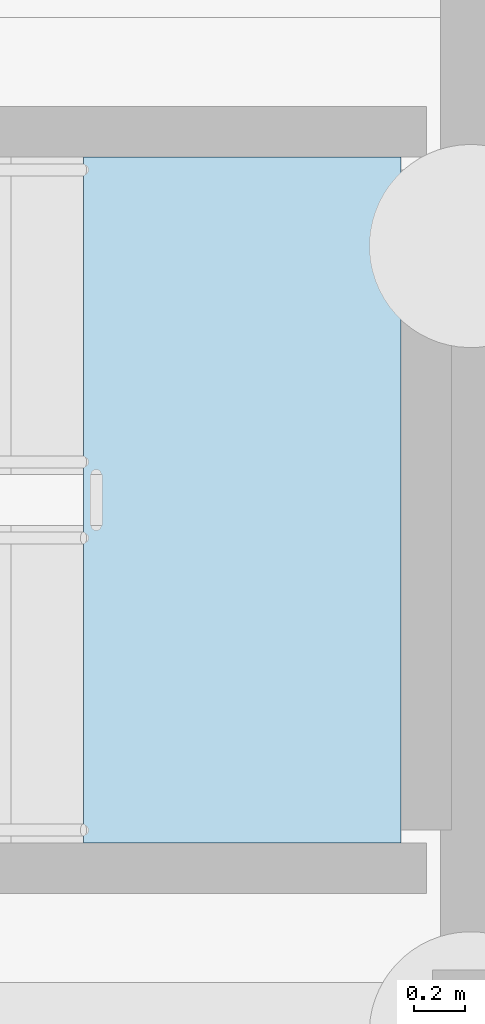
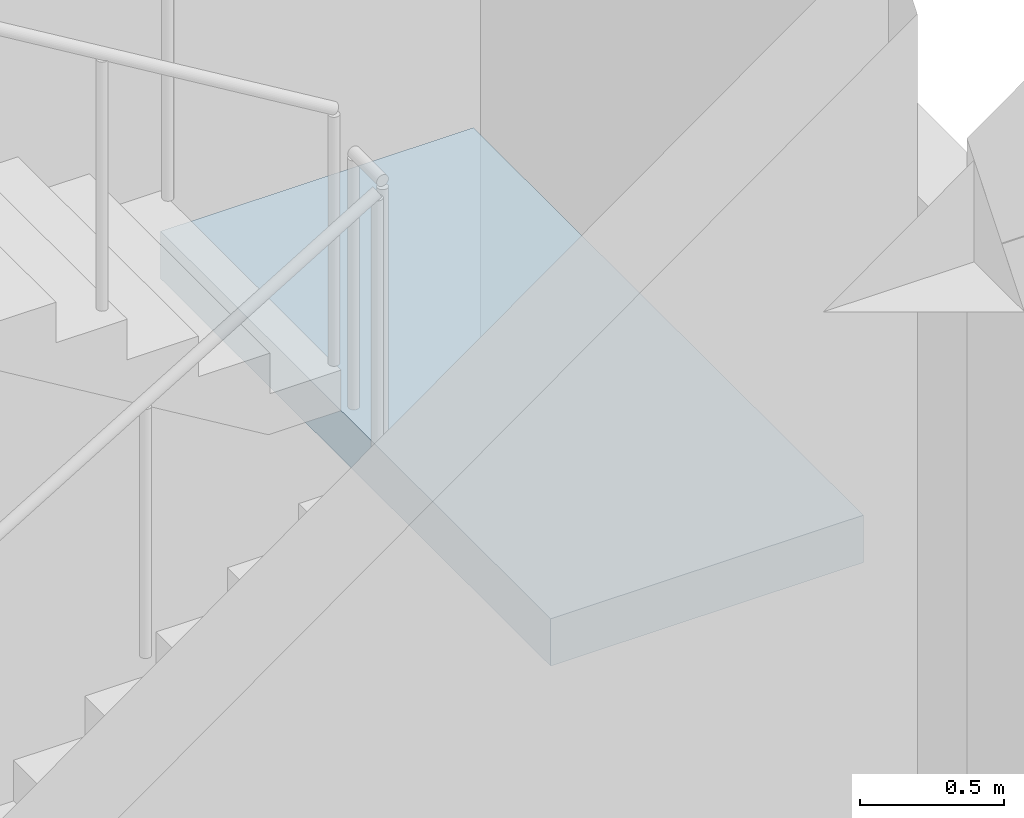
# One storey, part 116 of 155: 1 slab, 1 element without a shape of its own.
"""IFC4 building model written with IfcOpenShell, lengths in metres."""

from ifc_helpers import new_model, si_unit, direction, frame, origin, place, context, subcontext, project, spatial, polyline, outline, extrude, material, layer, layer_set, type_object, element, aggregate, save


model = new_model("IFC4")

# Units and contexts
model_context = context("Model", 3, precision=1e-05, world=origin(), true_north=direction((0.0, 1.0)))
body_context = subcontext(model_context, "Body", "Model", "MODEL_VIEW")
ifc_project = project(units=[si_unit("LENGTHUNIT", "METRE"), si_unit("AREAUNIT", "SQUARE_METRE"), si_unit("VOLUMEUNIT", "CUBIC_METRE"), si_unit("PLANEANGLEUNIT", "RADIAN"), si_unit("MASSUNIT", "GRAM", prefix="KILO")], contexts=[model_context])

# Site, building, storey
site_placement = place(None, origin())
site = spatial("IfcSite", under=ifc_project, at=site_placement, CompositionType="ELEMENT")
building_placement = place(site_placement, origin())
building = spatial("IfcBuilding", under=site, at=building_placement, Name="Bramvelor Terrace Health Centre", CompositionType="ELEMENT")
storey_placement = place(building_placement, origin())
storey = spatial("IfcBuildingStorey", under=building, at=storey_placement, Name="L01", CompositionType="ELEMENT", Elevation=0.0)

# Stair, slab
ifc_material_1 = material(Name="Concrete C40/50", Category="concrete")
stair_type = type_object("IfcStairType", Name="STR-SEC", PredefinedType="HALF_TURN_STAIR", material=ifc_material_1)
stair_placement = place(storey_placement, origin())
stair = element("IfcStair", 1, at=stair_placement, inside=storey, type_object=stair_type, Name="L01 East Day Surgery Exit Stair", PredefinedType="HALF_TURN_STAIR")
ifc_material_2 = material(Name="Concrete C40/50", Category="concrete")
ifc_layer = layer(ifc_material_2, 0.199951171875)
ifc_layer_set = layer_set([ifc_layer], Name="Concrete C40/50")
slab_type = type_object("IfcSlabType", Name="SLB-LND-200", PredefinedType="LANDING", material=ifc_layer_set)
slab_placement = place(storey_placement, frame((0.0, 0.0, 2.199951171875)))
slab = element("IfcSlab", 2, at=slab_placement, type_object=slab_type, Name="ST-7 landing 1", PredefinedType="LANDING", context=body_context, shape_type="SweptSolid", body=[
    extrude(outline(polyline([(163.925048828125, 58.39990234375), (165.175048828125, 58.39990234375), (165.175048828125, 61.10009765625), (163.925048828125, 61.10009765625), (163.925048828125, 58.39990234375)])), origin(), (0.0, 0.0, 1.0), 0.199951171875),
])
aggregate(stair, [slab])

save(model, "model.ifc")
